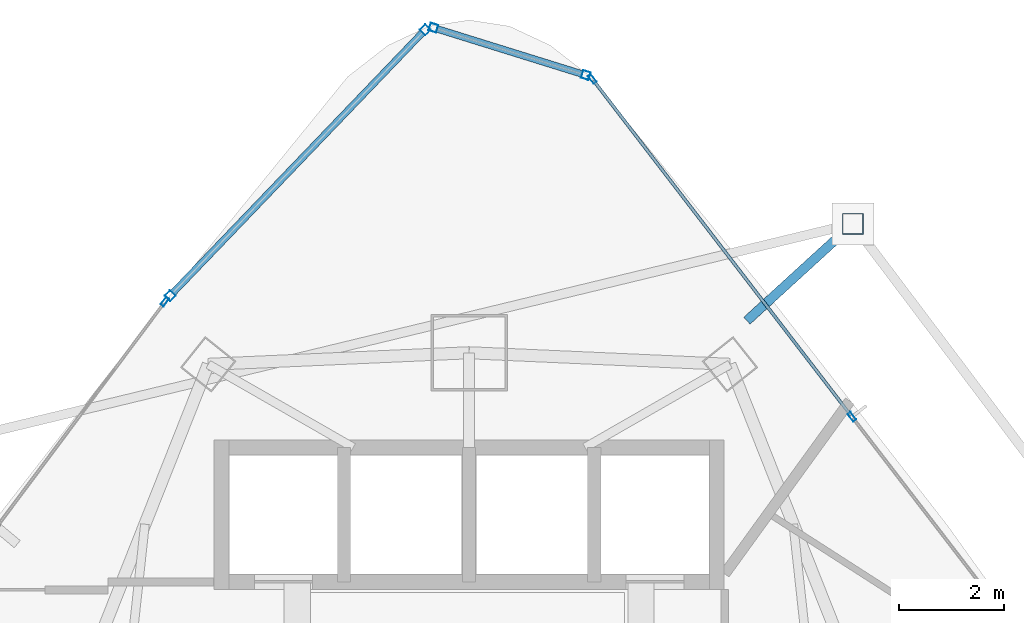
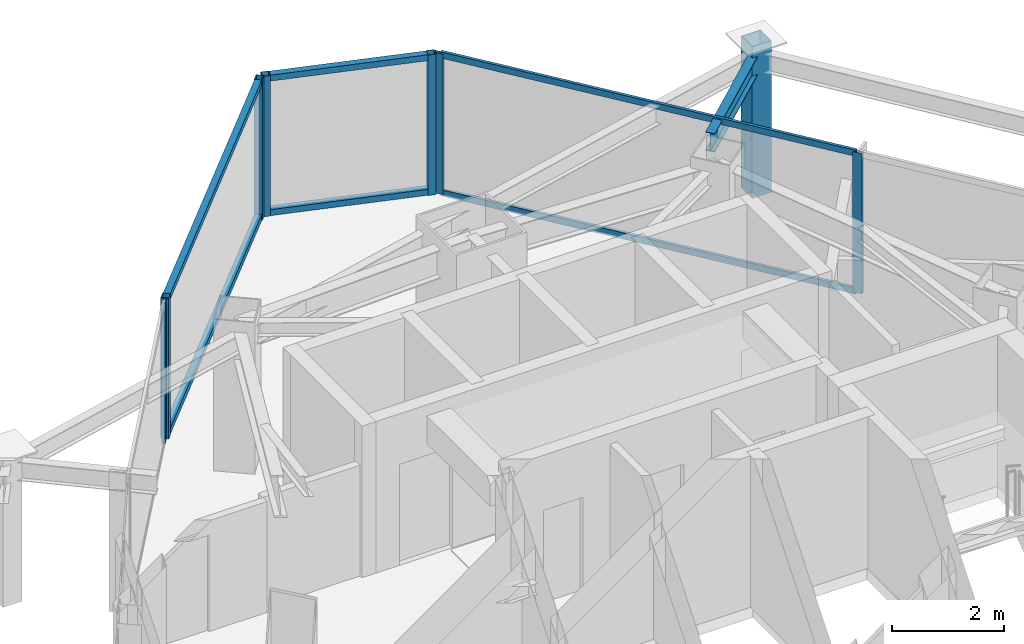
# One storey, part 21 of 29: 14 members, 1 beam, 4 elements without a shape of their own.
"""IFC4 building model written with IfcOpenShell, lengths in metres."""

import ifcopenshell
import ifcopenshell.guid

model = None  # the IFC model being written
_history = None  # IfcOwnerHistory: only IFC2X3 demands one
_inside = {}  # id of a spatial element -> (the spatial element, [elements in it])
_under = {}  # id of a project, library or spatial element -> (it, [spatial elements below it])
_declared = {}  # id of a project -> (the project, [libraries it declares])
_typed = {}  # id of a type object -> (the type object, [elements of that type])
_made_of = {}  # id of a material, layer set ... -> (it, [elements and type objects made of it])


def new_model(schema):
    """Start an empty IFC model of exactly this schema.

    Asked for "IFC4X3", IfcOpenShell would pick the latest addendum, in which some entities
    have other attributes; the version numbers below select the first issue.
    IFC2X3 requires an IfcOwnerHistory on every rooted entity: one is made here for all.
    """
    global model, _history
    if schema == "IFC4X3":
        model = ifcopenshell.file(schema_version=(4, 3, 0, 0))
    else:
        model = ifcopenshell.file(schema=schema)
    _inside.clear()
    _under.clear()
    _declared.clear()
    _typed.clear()
    _made_of.clear()
    _history = None
    if model.schema == "IFC2X3":
        org = make("IfcOrganization", Name="unknown")
        user = make(
            "IfcPersonAndOrganization",
            ThePerson=make("IfcPerson", FamilyName="unknown"),
            TheOrganization=org,
        )
        app = make(
            "IfcApplication",
            ApplicationDeveloper=org,
            Version="unknown",
            ApplicationFullName="unknown",
            ApplicationIdentifier="unknown",
        )
        _history = make(
            "IfcOwnerHistory",
            OwningUser=user,
            OwningApplication=app,
            ChangeAction="ADDED",
            CreationDate=0,
        )
    return model


def make(cls, **values):
    """One entity of the class cls with the attributes given. An attribute that is None is left unset."""
    return model.create_entity(
        cls, **{name: value for name, value in values.items() if value is not None}
    )


def rooted(cls, **values):
    """An entity with a GlobalId (a new one), such as an element, a storey or a relation."""
    return make(cls, GlobalId=ifcopenshell.guid.new(), OwnerHistory=_history, **values)


def si_unit(unit_type, name, prefix=None):
    """IfcSIUnit, for example si_unit("LENGTHUNIT", "METRE", prefix="MILLI")."""
    return make("IfcSIUnit", UnitType=unit_type, Prefix=prefix, Name=name)


def assignment(units):
    """IfcUnitAssignment: the units of a project."""
    return None if units is None else make("IfcUnitAssignment", Units=units)


def point(xyz):
    """IfcCartesianPoint."""
    return None if xyz is None else make("IfcCartesianPoint", Coordinates=xyz)


def direction(xyz):
    """IfcDirection."""
    return None if xyz is None else make("IfcDirection", DirectionRatios=xyz)


def frame(location, z_axis=None, x_axis=None):
    """IfcAxis2Placement3D, a coordinate frame: its origin and axes. An axis left out is left unset."""
    return make(
        "IfcAxis2Placement3D",
        Location=point(location),
        Axis=direction(z_axis),
        RefDirection=direction(x_axis),
    )


def frame_2d(location, x_axis=None):
    """IfcAxis2Placement2D, a coordinate frame in the plane: its origin and x axis."""
    return make(
        "IfcAxis2Placement2D", Location=point(location), RefDirection=direction(x_axis)
    )


def origin():
    """The frame at (0, 0, 0) with its axes left unset."""
    return frame((0.0, 0.0, 0.0))


def origin_2d():
    """The frame at (0, 0) in the plane with its x axis left unset."""
    return frame_2d((0.0, 0.0))


def place(relative_to, where):
    """IfcLocalPlacement: puts the frame where relative to a parent placement (None: the world)."""
    return make(
        "IfcLocalPlacement", PlacementRelTo=relative_to, RelativePlacement=where
    )


def context(
    kind, dimensions, precision=None, world=None, true_north=None, identifier=None
):
    """IfcGeometricRepresentationContext, for example the 3D "Model" context."""
    return make(
        "IfcGeometricRepresentationContext",
        ContextIdentifier=identifier,
        ContextType=kind,
        CoordinateSpaceDimension=dimensions,
        Precision=precision,
        WorldCoordinateSystem=world,
        TrueNorth=true_north,
    )


def subcontext(parent, identifier, kind, view, scale=None):
    """IfcGeometricRepresentationSubContext, for example "Body" below "Model"."""
    return make(
        "IfcGeometricRepresentationSubContext",
        ContextIdentifier=identifier,
        ContextType=kind,
        ParentContext=parent,
        TargetScale=scale,
        TargetView=view,
    )


def project(units=None, contexts=None):
    """IfcProject with its units and contexts."""
    return rooted(
        "IfcProject",
        Name="project",
        RepresentationContexts=contexts,
        UnitsInContext=assignment(units),
    )


def spatial(cls, under=None, at=None, **own):
    """A site, building, storey or space (cls), placed at a placement, below another one or the project."""
    s = rooted(cls, ObjectPlacement=at, **own)
    if under is not None:
        _under.setdefault(under.id(), (under, []))[1].append(s)
    return s


def profile(cls, at=None, kind="AREA", **sizes):
    """A parametric profile (cls). Its sizes go by their IFC names, for example OverallWidth=200.0."""
    return make(cls, ProfileType=kind, Position=at, **sizes)


def hollow_rectangle(**sizes):
    """IfcRectangleHollowProfileDef."""
    return profile("IfcRectangleHollowProfileDef", **sizes)


def i_section(**sizes):
    """IfcIShapeProfileDef."""
    return profile("IfcIShapeProfileDef", **sizes)


def extrude(swept, where, along, depth):
    """IfcExtrudedAreaSolid: the profile swept, set in the frame where, extruded along a direction by depth."""
    return make(
        "IfcExtrudedAreaSolid",
        SweptArea=swept,
        Position=where,
        ExtrudedDirection=direction(along),
        Depth=depth,
    )


def shape(context_of_items, identifier, shape_type, items):
    """IfcShapeRepresentation: the items that make up one representation, for example the "Body"."""
    return make(
        "IfcShapeRepresentation",
        ContextOfItems=context_of_items,
        RepresentationIdentifier=identifier,
        RepresentationType=shape_type,
        Items=items,
    )


def material(Name=None, Category=None):
    """IfcMaterial."""
    return make("IfcMaterial", Name=Name, Category=Category)


def layer(
    of_material, thickness, ventilated=None, Name=None, Category=None, Priority=None
):
    """IfcMaterialLayer: one layer of a wall or slab, of a material (None: an air gap)."""
    return make(
        "IfcMaterialLayer",
        Material=of_material,
        LayerThickness=thickness,
        IsVentilated=ventilated,
        Name=Name,
        Category=Category,
        Priority=Priority,
    )


def layer_set(layers, Name=None):
    """IfcMaterialLayerSet."""
    return make("IfcMaterialLayerSet", MaterialLayers=layers, LayerSetName=Name)


def material_profile(
    of_material, cross_section, Name=None, Category=None, Priority=None
):
    """IfcMaterialProfile: a cross section and its material."""
    return make(
        "IfcMaterialProfile",
        Name=Name,
        Material=of_material,
        Profile=cross_section,
        Priority=Priority,
        Category=Category,
    )


def profile_set(profiles, Name=None, composite=None):
    """IfcMaterialProfileSet."""
    return make(
        "IfcMaterialProfileSet",
        Name=Name,
        MaterialProfiles=profiles,
        CompositeProfile=composite,
    )


def made_of(thing, what):
    """Note that an element or type object is made of a material, layer set ...; save() writes the relation."""
    if what is not None:
        _made_of.setdefault(what.id(), (what, []))[1].append(thing)
    return thing


def type_object(cls, material=None, **own):
    """A type object (cls), such as IfcWallType, which elements share."""
    return made_of(rooted(cls, **own), material)


def element(
    cls,
    number,
    at=None,
    inside=None,
    cuts=None,
    type_object=None,
    material=None,
    context=None,
    identifier="Body",
    shape_type=None,
    held_by="IfcProductDefinitionShape",
    body=None,
    shapes=None,
    **own,
):
    """One element of the class cls, such as IfcWall. Its Tag is "e" and its number.

    at: its placement. inside: the storey or other place that contains it. cuts: it is an
    opening in that element (IfcRelVoidsElement). A single representation is given by context,
    identifier, shape_type and body (its items); several are given by shapes. held_by: the class
    of the entity that holds the representations. save() writes the other relations.
    """
    e = rooted(cls, Tag="e%d" % number, ObjectPlacement=at, **own)
    if body is not None:
        shapes = [shape(context, identifier, shape_type, body)]
    if shapes is not None:
        e.Representation = make(held_by, Representations=shapes)
    if inside is not None:
        _inside.setdefault(inside.id(), (inside, []))[1].append(e)
    if cuts is not None:
        rooted(
            "IfcRelVoidsElement", RelatingBuildingElement=cuts, RelatedOpeningElement=e
        )
    if type_object is not None:
        _typed.setdefault(type_object.id(), (type_object, []))[1].append(e)
    return made_of(e, material)


def aggregate(whole, parts):
    """IfcRelAggregates: a whole, such as a stair, and the parts it consists of."""
    return rooted("IfcRelAggregates", RelatingObject=whole, RelatedObjects=parts)


def save(model, path):
    """Write the relations noted so far, then the file.

    IfcRelAggregates (storeys below a building ...), IfcRelContainedInSpatialStructure (elements
    in a storey), IfcRelDefinesByType, IfcRelAssociatesMaterial and IfcRelDeclares: one each for
    every whole, place, type object, material and project.
    """
    for whole, parts in _under.values():
        aggregate(whole, parts)
    for where, things in _inside.values():
        rooted(
            "IfcRelContainedInSpatialStructure",
            RelatedElements=things,
            RelatingStructure=where,
        )
    for kind, things in _typed.values():
        rooted("IfcRelDefinesByType", RelatedObjects=things, RelatingType=kind)
    for what, things in _made_of.values():
        rooted("IfcRelAssociatesMaterial", RelatedObjects=things, RelatingMaterial=what)
    for by, libraries in _declared.values():
        rooted("IfcRelDeclares", RelatingContext=by, RelatedDefinitions=libraries)
    model.write(path)


model = new_model("IFC4")

# Units and contexts
model_context = context("Model", 3, precision=1e-05, world=origin(), true_north=direction((0.0, 1.0)))
body_context = subcontext(model_context, "Body", "Model", "MODEL_VIEW")
ifc_project = project(units=[si_unit("LENGTHUNIT", "METRE"), si_unit("AREAUNIT", "SQUARE_METRE"), si_unit("VOLUMEUNIT", "CUBIC_METRE"), si_unit("PLANEANGLEUNIT", "RADIAN"), si_unit("MASSUNIT", "GRAM", prefix="KILO")], contexts=[model_context])

# Site, building, storey
site_placement = place(None, origin())
site = spatial("IfcSite", under=ifc_project, at=site_placement, CompositionType="ELEMENT")
building_placement = place(site_placement, origin())
building = spatial("IfcBuilding", under=site, at=building_placement, Name="Orvanel Arch Residences", CompositionType="ELEMENT")
storey_placement = place(building_placement, frame((0.0, 0.0, 177.050048828125)))
storey = spatial("IfcBuildingStorey", under=building, at=storey_placement, Name="L50", CompositionType="ELEMENT", Elevation=177.050048828125)

# Curtain wall, members
ifc_material_1 = material(Name="Bronze-anodised aluminium AA6063-T6", Category="aluminium")
ifc_layer_1 = layer(ifc_material_1, 0.18994140625)
ifc_layer_set_1 = layer_set([ifc_layer_1], Name="Bronze-anodised aluminium AA6063-T6")
curtain_wall_type_1 = type_object("IfcCurtainWallType", Name="CW5-CRN-SYS", PredefinedType="NOTDEFINED", material=ifc_layer_set_1)
curtain_wall_1_placement = place(storey_placement, origin())
curtain_wall_1 = element("IfcCurtainWall", 1, at=curtain_wall_1_placement, inside=storey, type_object=curtain_wall_type_1, Name="L50 CW5-CRN-SYS Unitised Curtain Wall", PredefinedType="NOTDEFINED")
ifc_material_profile_1 = material_profile(ifc_material_1, hollow_rectangle(XDim=0.14990234375, YDim=0.14990234375, WallThickness=0.0048828125, at=origin_2d()), Name="ALU150x150x5")
ifc_profile_set_1 = profile_set([ifc_material_profile_1], Name="Bronze-anodised aluminium AA6063-T6")
member_type_1 = type_object("IfcMemberType", Name="MUL-150x150", PredefinedType="MULLION", material=ifc_profile_set_1)
member_1_placement = place(storey_placement, frame((35.21337890625, 46.665283203125, 0.0), z_axis=(0.0, 0.0, 1.0), x_axis=(-0.29709205857, -0.954848840778, 0.0)))
member_1 = element("IfcMember", 2, at=member_1_placement, type_object=member_type_1, Name="CW-S5 mullion 1", PredefinedType="MULLION", context=body_context, shape_type="SweptSolid", body=[
    extrude(hollow_rectangle(XDim=0.14990234375, YDim=0.14990234375, WallThickness=0.0048828125, at=origin_2d()), origin(), (0.0, 0.0, 1.0), 3.06005859375),
])
member_2_placement = place(storey_placement, frame((32.322509765625, 47.564697265625, 0.0), z_axis=(0.0, 0.0, 1.0), x_axis=(-0.29709205857, -0.954848840778, 0.0)))
member_2 = element("IfcMember", 3, at=member_2_placement, type_object=member_type_1, Name="CW-S5 mullion 2", PredefinedType="MULLION", context=body_context, shape_type="SweptSolid", body=[
    extrude(hollow_rectangle(XDim=0.14990234375, YDim=0.14990234375, WallThickness=0.0048828125, at=origin_2d()), origin(), (0.0, 0.0, 1.0), 3.06005859375),
])

curtain_wall_2_placement = place(storey_placement, origin())
curtain_wall_2 = element("IfcCurtainWall", 4, at=curtain_wall_2_placement, inside=storey, type_object=curtain_wall_type_1, Name="L50 CW5-CRN-SYS Unitised Curtain Wall", PredefinedType="NOTDEFINED")
member_3_placement = place(storey_placement, frame((32.166015625, 47.52490234375, 0.0), z_axis=(0.0, 0.0, 1.0), x_axis=(0.721655878647, -0.692251972055, 0.0)))
member_3 = element("IfcMember", 5, at=member_3_placement, type_object=member_type_1, Name="CW-S5 mullion 1", PredefinedType="MULLION", context=body_context, shape_type="SweptSolid", body=[
    extrude(hollow_rectangle(XDim=0.14990234375, YDim=0.14990234375, WallThickness=0.0048828125, at=origin_2d()), origin(), (0.0, 0.0, 1.0), 3.06005859375),
])
member_4_placement = place(storey_placement, frame((27.325927734375, 42.47900390625, 0.0), z_axis=(0.0, 0.0, 1.0), x_axis=(0.721655878647, -0.692251972055, 0.0)))
member_4 = element("IfcMember", 6, at=member_4_placement, type_object=member_type_1, Name="CW-S5 mullion 2", PredefinedType="MULLION", context=body_context, shape_type="SweptSolid", body=[
    extrude(hollow_rectangle(XDim=0.14990234375, YDim=0.14990234375, WallThickness=0.0048828125, at=origin_2d()), origin(), (0.0, 0.0, 1.0), 3.06005859375),
])

# Curtain wall, member
ifc_layer_2 = layer(ifc_material_1, 0.179931640625)
ifc_layer_set_2 = layer_set([ifc_layer_2], Name="Bronze-anodised aluminium AA6063-T6")
curtain_wall_type_2 = type_object("IfcCurtainWallType", Name="CW3-MID-SYS", PredefinedType="NOTDEFINED", material=ifc_layer_set_2)
curtain_wall_3_placement = place(storey_placement, origin())
curtain_wall_3 = element("IfcCurtainWall", 7, at=curtain_wall_3_placement, inside=storey, type_object=curtain_wall_type_2, Name="L50 CW3-MID-SYS Unitised Curtain Wall", PredefinedType="NOTDEFINED")
ifc_material_profile_2 = material_profile(ifc_material_1, hollow_rectangle(XDim=0.070068359375, YDim=0.179931640625, WallThickness=0.00439453125, at=origin_2d()), Name="ALU180x70x4.5")
ifc_profile_set_2 = profile_set([ifc_material_profile_2], Name="Bronze-anodised aluminium AA6063-T6")
member_type_2 = type_object("IfcMemberType", Name="MUL-180x70", PredefinedType="MULLION", material=ifc_profile_set_2)
member_5_placement = place(storey_placement, frame((27.22705078125, 42.366943359375, 0.0), z_axis=(0.0, 0.0, 1.0), x_axis=(0.801287325771, -0.598279718492, 0.0)))
member_5 = element("IfcMember", 8, at=member_5_placement, type_object=member_type_2, Name="CW-S3 mullion 1", PredefinedType="MULLION", context=body_context, shape_type="SweptSolid", body=[
    extrude(hollow_rectangle(XDim=0.070068359375, YDim=0.179931640625, WallThickness=0.00439453125, at=origin_2d()), origin(), (0.0, 0.0, 1.0), 3.06005859375),
])
aggregate(curtain_wall_3, [member_5])

# Curtain wall, members
curtain_wall_4_placement = place(storey_placement, origin())
curtain_wall_4 = element("IfcCurtainWall", 9, at=curtain_wall_4_placement, inside=storey, type_object=curtain_wall_type_2, Name="L50 CW3-MID-SYS Unitised Curtain Wall", PredefinedType="NOTDEFINED")
member_6_placement = place(storey_placement, frame((40.263916015625, 40.181884765625, 0.0), z_axis=(0.0, 0.0, 1.0), x_axis=(-0.792926030176, -0.60931790608, 0.0)))
member_6 = element("IfcMember", 10, at=member_6_placement, type_object=member_type_2, Name="CW-S3 mullion 2", PredefinedType="MULLION", context=body_context, shape_type="SweptSolid", body=[
    extrude(hollow_rectangle(XDim=0.070068359375, YDim=0.179931640625, WallThickness=0.00439453125, at=origin_2d()), origin(), (0.0, 0.0, 1.0), 3.06005859375),
])
member_7_placement = place(storey_placement, frame((35.33740234375, 46.59326171875, 0.0), z_axis=(0.0, 0.0, 1.0), x_axis=(-0.792926030176, -0.60931790608, 0.0)))
member_7 = element("IfcMember", 11, at=member_7_placement, type_object=member_type_2, Name="CW-S3 mullion 3", PredefinedType="MULLION", context=body_context, shape_type="SweptSolid", body=[
    extrude(hollow_rectangle(XDim=0.070068359375, YDim=0.179931640625, WallThickness=0.00439453125, at=origin_2d()), origin(), (0.0, 0.0, 1.0), 3.06005859375),
])

# Beam
ifc_material_2 = material(Name="Structural steel AS/NZS 3679.1 Grade 300 (300 MPa)", Category="steel")
ifc_material_profile_3 = material_profile(ifc_material_2, i_section(OverallWidth=0.177978515625, OverallDepth=0.406005859375, WebThickness=0.0078125, FlangeThickness=0.0126953125, at=origin_2d()), Name="410UB59.7")
ifc_profile_set_3 = profile_set([ifc_material_profile_3], Name="Structural steel AS/NZS 3679.1 Grade 300 (300 MPa)")
beam_type = type_object("IfcBeamType", Name="OB-410UB-EXT", PredefinedType="SPANDREL", material=ifc_profile_set_3)
beam_placement = place(storey_placement, frame((38.27099609375, 42.006103515625, 2.85693359375), z_axis=(0.738161407706, 0.674624144375, 0.0), x_axis=(-0.674624144375, 0.738161407706, 0.0)))
element("IfcBeam", 12, at=beam_placement, inside=storey, type_object=beam_type, Name="L50 Outer Frame Radial Tie Beam 12", PredefinedType="SPANDREL", context=body_context, shape_type="SweptSolid", body=[
    extrude(i_section(OverallWidth=0.177978515625, OverallDepth=0.406005859375, WebThickness=0.0078125, FlangeThickness=0.0126953125, at=origin_2d()), origin(), (0.0, 0.0, 1.0), 2.724365234375),
])

# Member
ifc_material_3 = material(Name="Structural steel AS/NZS 1163 C450L0 (Grade 450)", Category="steel")
ifc_material_profile_4 = material_profile(ifc_material_3, hollow_rectangle(XDim=0.39990234375, YDim=0.39990234375, WallThickness=0.01611328125, at=origin_2d()), Name="SHS400x400x16")
ifc_profile_set_4 = profile_set([ifc_material_profile_4], Name="Structural steel AS/NZS 1163 C450L0 (Grade 450)")
member_type_3 = type_object("IfcMemberType", Name="ST-400SHS-EXT", PredefinedType="STRUT", material=ifc_profile_set_4)
member_8_placement = place(storey_placement, frame((40.281982421875, 43.843994140625, 0.0), z_axis=(0.0, 0.0, 1.0), x_axis=(1.0, 0.0, 0.0)))
element("IfcMember", 13, at=member_8_placement, inside=storey, type_object=member_type_3, Name="L50 Outer Perimeter Frame Post 12", PredefinedType="STRUT", context=body_context, shape_type="SweptSolid", body=[
    extrude(hollow_rectangle(XDim=0.39990234375, YDim=0.39990234375, WallThickness=0.01611328125, at=origin_2d()), origin(), (0.0, 0.0, 1.0), 3.300048828125),
])

ifc_material_profile_5 = material_profile(ifc_material_1, hollow_rectangle(XDim=0.1298828125, YDim=0.1298828125, WallThickness=0.00439453125, at=origin_2d()), Name="ALU130x130x4.5")
ifc_profile_set_5 = profile_set([ifc_material_profile_5], Name="Bronze-anodised aluminium AA6063-T6")
member_type_4 = type_object("IfcMemberType", Name="TRN-130x130", PredefinedType="USERDEFINED", material=ifc_profile_set_5)
member_9_placement = place(storey_placement, frame((35.141845703125, 46.6875, 0.06494140625), z_axis=(-0.954838590876, 0.297124999578, 0.0), x_axis=(-0.297124999578, -0.954838590876, 0.0)))
member_9 = element("IfcMember", 14, at=member_9_placement, type_object=member_type_4, Name="CW-S5 transom 1.1", ObjectType="TRANSOM", PredefinedType="USERDEFINED", context=body_context, shape_type="SweptSolid", body=[
    extrude(hollow_rectangle(XDim=0.1298828125, YDim=0.1298828125, WallThickness=0.00439453125, at=origin_2d()), origin(), (0.0, 0.0, 1.0), 2.87744140625),
])

member_10_placement = place(storey_placement, frame((35.141845703125, 46.6875, 2.994873046875), z_axis=(-0.954838590876, 0.297124999578, 0.0), x_axis=(-0.297124999578, -0.954838590876, 0.0)))
member_10 = element("IfcMember", 15, at=member_10_placement, type_object=member_type_4, Name="CW-S5 transom 1.2", ObjectType="TRANSOM", PredefinedType="USERDEFINED", context=body_context, shape_type="SweptSolid", body=[
    extrude(hollow_rectangle(XDim=0.1298828125, YDim=0.1298828125, WallThickness=0.00439453125, at=origin_2d()), origin(), (0.0, 0.0, 1.0), 2.87744140625),
])

aggregate(curtain_wall_1, [member_1, member_2, member_9, member_10])

member_11_placement = place(storey_placement, frame((32.1142578125, 47.470703125, 0.06494140625), z_axis=(-0.692252491269, -0.721655380589, 0.0), x_axis=(0.721655380589, -0.692252491269, 0.0)))
member_11 = element("IfcMember", 16, at=member_11_placement, type_object=member_type_4, Name="CW-S5 transom 1.1", ObjectType="TRANSOM", PredefinedType="USERDEFINED", context=body_context, shape_type="SweptSolid", body=[
    extrude(hollow_rectangle(XDim=0.1298828125, YDim=0.1298828125, WallThickness=0.00439453125, at=origin_2d()), origin(), (0.0, 0.0, 1.0), 6.841796875),
])

member_12_placement = place(storey_placement, frame((32.1142578125, 47.470703125, 2.994873046875), z_axis=(-0.692252491269, -0.721655380589, 0.0), x_axis=(0.721655380589, -0.692252491269, 0.0)))
member_12 = element("IfcMember", 17, at=member_12_placement, type_object=member_type_4, Name="CW-S5 transom 1.2", ObjectType="TRANSOM", PredefinedType="USERDEFINED", context=body_context, shape_type="SweptSolid", body=[
    extrude(hollow_rectangle(XDim=0.1298828125, YDim=0.1298828125, WallThickness=0.00439453125, at=origin_2d()), origin(), (0.0, 0.0, 1.0), 6.841796875),
])

aggregate(curtain_wall_2, [member_3, member_4, member_11, member_12])

ifc_material_profile_6 = material_profile(ifc_material_1, hollow_rectangle(XDim=0.06005859375, YDim=0.135009765625, WallThickness=0.00390625, at=origin_2d()), Name="ALU135x60x4")
ifc_profile_set_6 = profile_set([ifc_material_profile_6], Name="Bronze-anodised aluminium AA6063-T6")
member_type_5 = type_object("IfcMemberType", Name="TRN-135x60", PredefinedType="USERDEFINED", material=ifc_profile_set_6)
member_13_placement = place(storey_placement, frame((40.24267578125, 40.209716796875, 0.030029296875), z_axis=(-0.609320615479, 0.792923948151, 0.0), x_axis=(-0.792923948151, -0.609320615479, 0.0)))
member_13 = element("IfcMember", 18, at=member_13_placement, type_object=member_type_5, Name="CW-S3 transom 2.1", ObjectType="TRANSOM", PredefinedType="USERDEFINED", context=body_context, shape_type="SweptSolid", body=[
    extrude(hollow_rectangle(XDim=0.06005859375, YDim=0.135009765625, WallThickness=0.00390625, at=origin_2d()), origin(), (0.0, 0.0, 1.0), 8.015625),
])

member_14_placement = place(storey_placement, frame((40.24267578125, 40.209716796875, 3.030029296875), z_axis=(-0.609320615479, 0.792923948151, 0.0), x_axis=(-0.792923948151, -0.609320615479, 0.0)))
member_14 = element("IfcMember", 19, at=member_14_placement, type_object=member_type_5, Name="CW-S3 transom 2.2", ObjectType="TRANSOM", PredefinedType="USERDEFINED", context=body_context, shape_type="SweptSolid", body=[
    extrude(hollow_rectangle(XDim=0.06005859375, YDim=0.135009765625, WallThickness=0.00390625, at=origin_2d()), origin(), (0.0, 0.0, 1.0), 8.015625),
])

aggregate(curtain_wall_4, [member_6, member_7, member_13, member_14])

save(model, "model.ifc")
